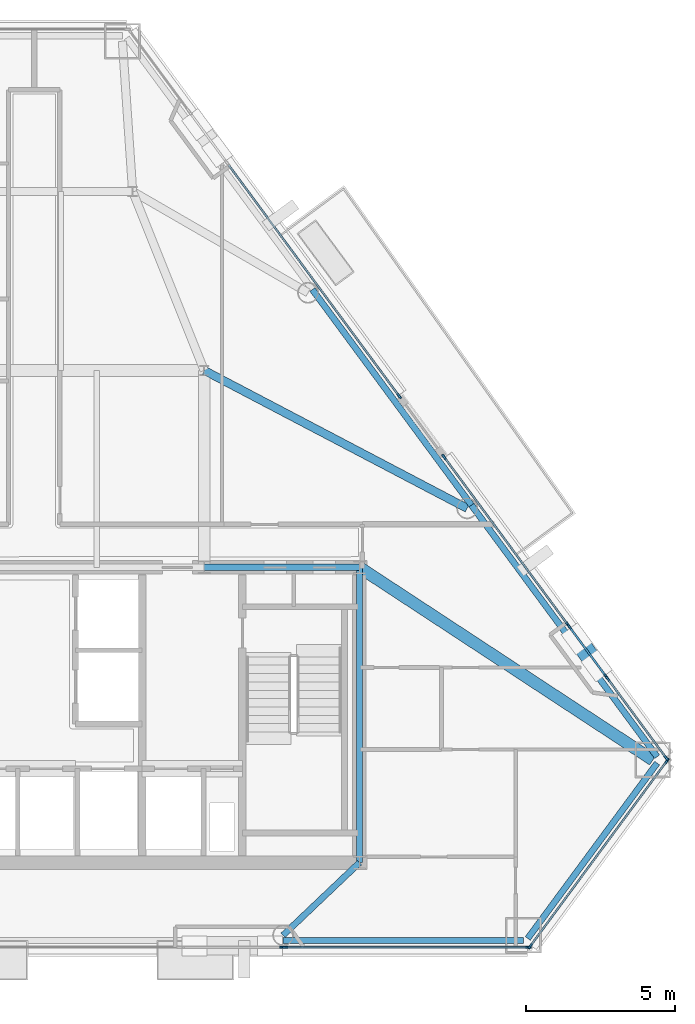
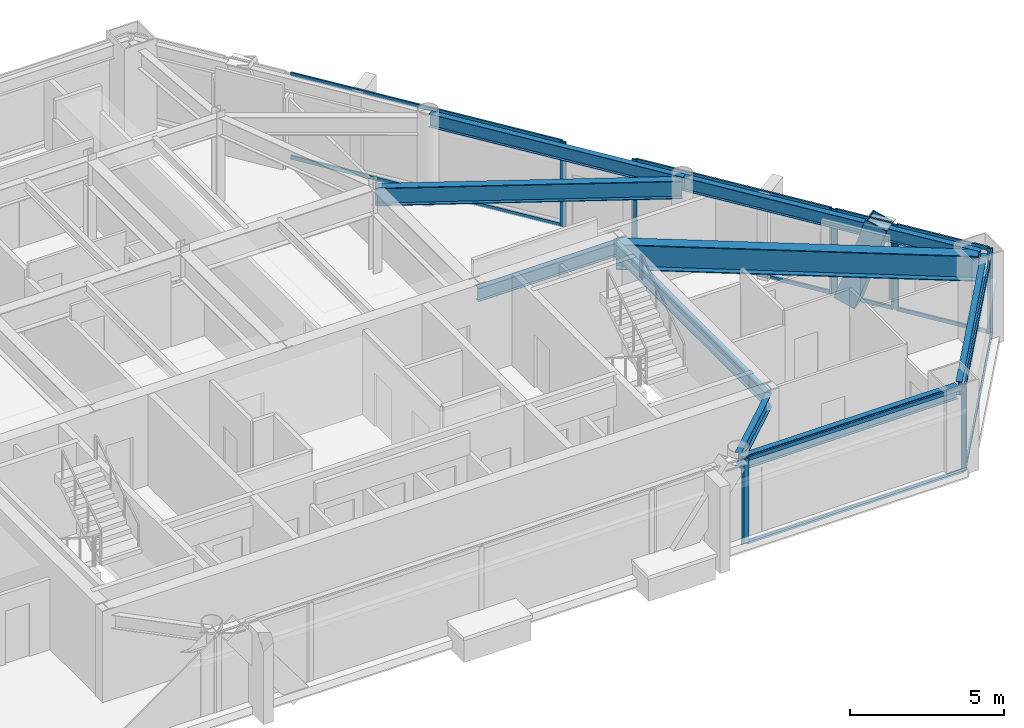
# One storey, part 5 of 11: 25 members, 9 beams, 7 elements without a shape of their own.
"""IFC4 building model written with IfcOpenShell, lengths in metres."""

from ifc_helpers import new_model, si_unit, direction, frame, origin, origin_2d, place, context, subcontext, project, spatial, rectangle, hollow_rectangle, i_section, extrude, material, layer, layer_set, material_profile, profile_set, type_object, element, aggregate, save


model = new_model("IFC4")

# Units and contexts
model_context = context("Model", 3, precision=1e-05, world=origin(), true_north=direction((0.0, 1.0)))
body_context = subcontext(model_context, "Body", "Model", "MODEL_VIEW")
ifc_project = project(units=[si_unit("LENGTHUNIT", "METRE"), si_unit("AREAUNIT", "SQUARE_METRE"), si_unit("VOLUMEUNIT", "CUBIC_METRE"), si_unit("PLANEANGLEUNIT", "RADIAN"), si_unit("MASSUNIT", "GRAM", prefix="KILO")], contexts=[model_context])

# Site, building, storey
site_placement = place(None, origin())
site = spatial("IfcSite", under=ifc_project, at=site_placement, CompositionType="ELEMENT")
building_placement = place(site_placement, origin())
building = spatial("IfcBuilding", under=site, at=building_placement, Name="Talgorran Terracotta Tower", CompositionType="ELEMENT")
storey_placement = place(building_placement, frame((0.0, 0.0, 158.10009765625)))
storey = spatial("IfcBuildingStorey", under=building, at=storey_placement, Name="L41", CompositionType="ELEMENT", Elevation=158.10009765625)

# Beams
ifc_material_1 = material(Name="Steel Grade 350 (350L0)", Category="steel")
ifc_material_profile_1 = material_profile(ifc_material_1, i_section(OverallWidth=0.39990234375, OverallDepth=1.0, WebThickness=0.01611328125, FlangeThickness=0.031005859375, at=origin_2d()), Name="1000WB296")
ifc_profile_set_1 = profile_set([ifc_material_profile_1], Name="Steel Grade 350 (350L0)")
beam_type_1 = type_object("IfcBeamType", Name="BM_1000WB296", PredefinedType="BEAM", material=ifc_profile_set_1)
beam_1_placement = place(storey_placement, frame((12.39990234375, -4.199951171875, 2.849853515625), z_axis=(0.836013696093, -0.548708574696, 0.0), x_axis=(0.548708574696, 0.836013696093, 0.0)))
element("IfcBeam", 1, at=beam_1_placement, inside=storey, type_object=beam_type_1, Name="L41 Floor Girder G18", PredefinedType="BEAM", context=body_context, shape_type="SweptSolid", body=[
    extrude(i_section(OverallWidth=0.39990234375, OverallDepth=1.0, WebThickness=0.01611328125, FlangeThickness=0.031005859375, at=origin_2d()), origin(), (0.0, 0.0, 1.0), 11.76318359375),
])
ifc_material_2 = material(Name="Steel S355 (300PLUS)", Category="steel")
ifc_material_profile_2 = material_profile(ifc_material_2, i_section(OverallWidth=0.27490234375, OverallDepth=0.7080078125, WebThickness=0.011962890625, FlangeThickness=0.02490234375, at=origin_2d()), Name="700WB173")
ifc_profile_set_2 = profile_set([ifc_material_profile_2], Name="Steel S355 (300PLUS)")
beam_type_2 = type_object("IfcBeamType", Name="BM_700WB173", PredefinedType="BEAM", material=ifc_profile_set_2)
beam_2_placement = place(storey_placement, frame((7.199951171875, 2.39990234375, 2.995849609375), z_axis=(0.885527866822, -0.464586264414, 0.0), x_axis=(0.464586264414, 0.885527866822, 0.0)))
element("IfcBeam", 2, at=beam_2_placement, inside=storey, type_object=beam_type_2, Name="L41 Floor Girder G07", PredefinedType="BEAM", context=body_context, shape_type="SweptSolid", body=[
    extrude(i_section(OverallWidth=0.27490234375, OverallDepth=0.7080078125, WebThickness=0.011962890625, FlangeThickness=0.02490234375, at=origin_2d()), origin(), (0.0, 0.0, 1.0), 9.951416015625),
])
ifc_material_profile_3 = material_profile(ifc_material_2, i_section(OverallWidth=0.209228515625, OverallDepth=0.532958984375, WebThickness=0.01025390625, FlangeThickness=0.015625, at=origin_2d()), Name="530UB92.4")
ifc_profile_set_3 = profile_set([ifc_material_profile_3], Name="Steel S355 (300PLUS)")
beam_type_3 = type_object("IfcBeamType", Name="BM_SP_530UB92", PredefinedType="SPANDREL", material=ifc_profile_set_3)
beam_3_placement = place(storey_placement, frame((9.843994140625, -16.7099609375, 3.08349609375), z_axis=(1.0, 0.0, 0.0), x_axis=(0.0, 1.0, 0.0)))
element("IfcBeam", 3, at=beam_3_placement, inside=storey, type_object=beam_type_3, Name="L41 Perimeter Spandrel Beam FC2-MC3", PredefinedType="SPANDREL", context=body_context, shape_type="SweptSolid", body=[
    extrude(i_section(OverallWidth=0.209228515625, OverallDepth=0.532958984375, WebThickness=0.01025390625, FlangeThickness=0.015625, at=origin_2d()), origin(), (0.0, 0.0, 1.0), 8.05419921875),
])
beam_4_placement = place(storey_placement, frame((18.043212890625, -16.636962890625, 3.08349609375), z_axis=(0.593765719161, 0.804637974961, 0.0), x_axis=(-0.804637974961, 0.593765719161, 0.0)))
element("IfcBeam", 4, at=beam_4_placement, inside=storey, type_object=beam_type_3, Name="L41 Perimeter Spandrel Beam MC3-MC4", PredefinedType="SPANDREL", context=body_context, shape_type="SweptSolid", body=[
    extrude(i_section(OverallWidth=0.209228515625, OverallDepth=0.532958984375, WebThickness=0.01025390625, FlangeThickness=0.015625, at=origin_2d()), origin(), (0.0, 0.0, 1.0), 7.302001953125),
])
beam_5_placement = place(storey_placement, frame((22.37890625, -10.547607421875, 3.08349609375), z_axis=(-0.593786218479, 0.804622847516, 0.0), x_axis=(-0.804622847516, -0.593786218479, 0.0)))
element("IfcBeam", 5, at=beam_5_placement, inside=storey, type_object=beam_type_3, Name="L41 Perimeter Spandrel Beam MC4-FC3", PredefinedType="SPANDREL", context=body_context, shape_type="SweptSolid", body=[
    extrude(i_section(OverallWidth=0.209228515625, OverallDepth=0.532958984375, WebThickness=0.01025390625, FlangeThickness=0.015625, at=origin_2d()), origin(), (0.0, 0.0, 1.0), 10.478271484375),
])
beam_6_placement = place(storey_placement, frame((16.156982421875, -2.116455078125, 3.08349609375), z_axis=(-0.593775624387, 0.804630665513, 0.0), x_axis=(-0.804630665513, -0.593775624387, 0.0)))
element("IfcBeam", 6, at=beam_6_placement, inside=storey, type_object=beam_type_3, Name="L41 Perimeter Spandrel Beam FC3-FC4", PredefinedType="SPANDREL", context=body_context, shape_type="SweptSolid", body=[
    extrude(i_section(OverallWidth=0.209228515625, OverallDepth=0.532958984375, WebThickness=0.01025390625, FlangeThickness=0.015625, at=origin_2d()), origin(), (0.0, 0.0, 1.0), 8.9814453125),
])
beam_7_placement = place(storey_placement, frame((12.39990234375, -14.10009765625, 3.08349609375), z_axis=(-0.724741849636, -0.689020501426, 0.0), x_axis=(0.689020501426, -0.724741849636, 0.0)))
element("IfcBeam", 7, at=beam_7_placement, inside=storey, type_object=beam_type_3, Name="L41 South-East Core Tie Beam", PredefinedType="SPANDREL", context=body_context, shape_type="SweptSolid", body=[
    extrude(i_section(OverallWidth=0.209228515625, OverallDepth=0.532958984375, WebThickness=0.01025390625, FlangeThickness=0.015625, at=origin_2d()), origin(), (0.0, 0.0, 1.0), 3.526611328125),
])
beam_8_placement = place(storey_placement, frame((12.39990234375, -14.10009765625, 3.08349609375), z_axis=(0.0, 1.0, 0.0), x_axis=(-1.0, 0.0, 0.0)))
element("IfcBeam", 8, at=beam_8_placement, inside=storey, type_object=beam_type_3, Name="L41 Core Frame Beam CFE", PredefinedType="SPANDREL", context=body_context, shape_type="SweptSolid", body=[
    extrude(i_section(OverallWidth=0.209228515625, OverallDepth=0.532958984375, WebThickness=0.01025390625, FlangeThickness=0.015625, at=origin_2d()), origin(), (0.0, 0.0, 1.0), 9.900146484375),
])
beam_9_placement = place(storey_placement, frame((7.199951171875, -4.199951171875, 3.08349609375), z_axis=(1.0, 0.0, 0.0), x_axis=(0.0, 1.0, 0.0)))
element("IfcBeam", 9, at=beam_9_placement, inside=storey, type_object=beam_type_3, Name="L41 Core Frame Beam CFN4", PredefinedType="SPANDREL", context=body_context, shape_type="SweptSolid", body=[
    extrude(i_section(OverallWidth=0.209228515625, OverallDepth=0.532958984375, WebThickness=0.01025390625, FlangeThickness=0.015625, at=origin_2d()), origin(), (0.0, 0.0, 1.0), 5.199951171875),
])

# Member
ifc_material_profile_4 = material_profile(ifc_material_1, hollow_rectangle(XDim=0.6201171875, YDim=0.780029296875, WallThickness=0.0419921875, at=origin_2d()), Name="WBOX780X620X42")
ifc_profile_set_4 = profile_set([ifc_material_profile_4], Name="Steel Grade 350 (350L0)")
member_type_1 = type_object("IfcMemberType", Name="MB_MEGA_780", PredefinedType="BRACE", material=ifc_profile_set_4)
member_1_placement = place(storey_placement, frame((19.686279296875, -6.595947265625, -0.025146484375), z_axis=(0.186449157717, -0.252643721572, 0.949425016279), x_axis=(0.804613596001, 0.593798754739, 0.0)))
element("IfcMember", 10, at=member_1_placement, inside=storey, type_object=member_type_1, Name="L41 Exterior Face Mega-Brace MB-2 (NEL)", PredefinedType="BRACE", context=body_context, shape_type="SweptSolid", body=[
    extrude(hollow_rectangle(XDim=0.6201171875, YDim=0.780029296875, WallThickness=0.0419921875, at=origin_2d()), origin(), (0.0, 0.0, 1.0), 3.581298828125),
])

# Curtain wall, member
ifc_material_3 = material(Name="Unitised Low-E Double Glazing", Category="glass")
ifc_layer = layer(ifc_material_3, 0.199951171875, Name="CW_SYS2_RES_LOW")
ifc_layer_set = layer_set([ifc_layer], Name="Unitised Low-E Double Glazing")
curtain_wall_type = type_object("IfcCurtainWallType", Name="CW_SYS2_RES_LOW", PredefinedType="NOTDEFINED", material=ifc_layer_set)
curtain_wall_1_placement = place(storey_placement, origin())
curtain_wall_1 = element("IfcCurtainWall", 11, at=curtain_wall_1_placement, inside=storey, type_object=curtain_wall_type, Name="CW-L41-F1D", PredefinedType="NOTDEFINED")
ifc_material_4 = material(Name="Architectural Aluminium 6063-T6", Category="aluminium")
ifc_material_profile_5 = material_profile(ifc_material_4, rectangle(XDim=0.06494140625, YDim=0.18505859375, at=origin_2d()), Name="CWM65X185")
ifc_profile_set_5 = profile_set([ifc_material_profile_5], Name="Architectural Aluminium 6063-T6")
member_type_2 = type_object("IfcMemberType", Name="MUL_65X185", PredefinedType="MULLION", material=ifc_profile_set_5)
member_2_placement = place(storey_placement, frame((9.826904296875, -16.929931640625, 0.0), z_axis=(0.0, 0.0, 1.0), x_axis=(0.0, 1.0, 0.0)))
member_2 = element("IfcMember", 12, at=member_2_placement, type_object=member_type_2, Name="CW-L41-1D mullion 2", PredefinedType="MULLION", context=body_context, shape_type="SweptSolid", body=[
    extrude(rectangle(XDim=0.06494140625, YDim=0.18505859375, at=origin_2d()), origin(), (0.0, 0.0, 1.0), 3.349853515625),
])
aggregate(curtain_wall_1, [member_2])

# Curtain wall, members
curtain_wall_2_placement = place(storey_placement, origin())
curtain_wall_2 = element("IfcCurtainWall", 13, at=curtain_wall_2_placement, inside=storey, type_object=curtain_wall_type, Name="CW-L41-F1E", PredefinedType="NOTDEFINED")
member_3_placement = place(storey_placement, frame((9.90185546875, -16.929931640625, 0.0), z_axis=(0.0, 0.0, 1.0), x_axis=(0.0, 1.0, 0.0)))
member_3 = element("IfcMember", 14, at=member_3_placement, type_object=member_type_2, Name="CW-L41-1E mullion 1", PredefinedType="MULLION", context=body_context, shape_type="SweptSolid", body=[
    extrude(rectangle(XDim=0.06494140625, YDim=0.18505859375, at=origin_2d()), origin(), (0.0, 0.0, 1.0), 3.349853515625),
])
member_4_placement = place(storey_placement, frame((18.067626953125, -16.929931640625, 0.0), z_axis=(0.0, 0.0, 1.0), x_axis=(0.0, 1.0, 0.0)))
member_4 = element("IfcMember", 15, at=member_4_placement, type_object=member_type_2, Name="CW-L41-1E mullion 2", PredefinedType="MULLION", context=body_context, shape_type="SweptSolid", body=[
    extrude(rectangle(XDim=0.06494140625, YDim=0.18505859375, at=origin_2d()), origin(), (0.0, 0.0, 1.0), 3.349853515625),
])

curtain_wall_3_placement = place(storey_placement, origin())
curtain_wall_3 = element("IfcCurtainWall", 16, at=curtain_wall_3_placement, inside=storey, type_object=curtain_wall_type, Name="CW-L41-F2", PredefinedType="NOTDEFINED")
member_5_placement = place(storey_placement, frame((18.119384765625, -16.90380859375, 0.0), z_axis=(0.0, 0.0, 1.0), x_axis=(-0.804619586401, 0.593790637498, 0.0)))
member_5 = element("IfcMember", 17, at=member_5_placement, type_object=member_type_2, Name="CW-L41-2 mullion 1", PredefinedType="MULLION", context=body_context, shape_type="SweptSolid", body=[
    extrude(rectangle(XDim=0.06494140625, YDim=0.18505859375, at=origin_2d()), origin(), (0.0, 0.0, 1.0), 3.349853515625),
])
member_6_placement = place(storey_placement, frame((22.7119140625, -10.6806640625, 0.0), z_axis=(0.0, 0.0, 1.0), x_axis=(-0.804619586401, 0.593790637498, 0.0)))
member_6 = element("IfcMember", 18, at=member_6_placement, type_object=member_type_2, Name="CW-L41-2 mullion 2", PredefinedType="MULLION", context=body_context, shape_type="SweptSolid", body=[
    extrude(rectangle(XDim=0.06494140625, YDim=0.18505859375, at=origin_2d()), origin(), (0.0, 0.0, 1.0), 3.349853515625),
])

curtain_wall_4_placement = place(storey_placement, origin())
curtain_wall_4 = element("IfcCurtainWall", 19, at=curtain_wall_4_placement, inside=storey, type_object=curtain_wall_type, Name="CW-L41-F40", PredefinedType="NOTDEFINED")
member_7_placement = place(storey_placement, frame((22.688232421875, -10.59619140625, 0.0), z_axis=(0.0, 0.0, 1.0), x_axis=(-0.804614418902, -0.593797639684, 0.0)))
member_7 = element("IfcMember", 20, at=member_7_placement, type_object=member_type_2, Name="CW-L41-40 mullion 1", PredefinedType="MULLION", context=body_context, shape_type="SweptSolid", body=[
    extrude(rectangle(XDim=0.06494140625, YDim=0.18505859375, at=origin_2d()), origin(), (0.0, 0.0, 1.0), 3.349853515625),
])
member_8_placement = place(storey_placement, frame((20.71728515625, -7.92578125, 0.0), z_axis=(0.0, 0.0, 1.0), x_axis=(-0.804614418902, -0.593797639684, 0.0)))
member_8 = element("IfcMember", 21, at=member_8_placement, type_object=member_type_2, Name="CW-L41-40 mullion 2", PredefinedType="MULLION", context=body_context, shape_type="SweptSolid", body=[
    extrude(rectangle(XDim=0.06494140625, YDim=0.18505859375, at=origin_2d()), origin(), (0.0, 0.0, 1.0), 3.349853515625),
])

curtain_wall_5_placement = place(storey_placement, origin())
curtain_wall_5 = element("IfcCurtainWall", 22, at=curtain_wall_5_placement, inside=storey, type_object=curtain_wall_type, Name="CW-L41-F40B", PredefinedType="NOTDEFINED")
member_9_placement = place(storey_placement, frame((20.6728515625, -7.865234375, 0.0), z_axis=(0.0, 0.0, 1.0), x_axis=(-0.804614726694, -0.593797222616, 0.0)))
member_9 = element("IfcMember", 23, at=member_9_placement, type_object=member_type_2, Name="CW-L41-40B mullion 1", PredefinedType="MULLION", context=body_context, shape_type="SweptSolid", body=[
    extrude(rectangle(XDim=0.06494140625, YDim=0.18505859375, at=origin_2d()), origin(), (0.0, 0.0, 1.0), 3.349853515625),
])
member_10_placement = place(storey_placement, frame((19.431884765625, -6.183837890625, 0.0), z_axis=(0.0, 0.0, 1.0), x_axis=(-0.804614726694, -0.593797222616, 0.0)))
member_10 = element("IfcMember", 24, at=member_10_placement, type_object=member_type_2, Name="CW-L41-40B mullion 2", PredefinedType="MULLION", context=body_context, shape_type="SweptSolid", body=[
    extrude(rectangle(XDim=0.06494140625, YDim=0.18505859375, at=origin_2d()), origin(), (0.0, 0.0, 1.0), 3.349853515625),
])

curtain_wall_6_placement = place(storey_placement, origin())
curtain_wall_6 = element("IfcCurtainWall", 25, at=curtain_wall_6_placement, inside=storey, type_object=curtain_wall_type, Name="CW-L41-F40C", PredefinedType="NOTDEFINED")
member_11_placement = place(storey_placement, frame((19.387451171875, -6.12353515625, 0.0), z_axis=(0.0, 0.0, 1.0), x_axis=(-0.804621289054, -0.5937883303, 0.0)))
member_11 = element("IfcMember", 26, at=member_11_placement, type_object=member_type_2, Name="CW-L41-40C mullion 1", PredefinedType="MULLION", context=body_context, shape_type="SweptSolid", body=[
    extrude(rectangle(XDim=0.06494140625, YDim=0.18505859375, at=origin_2d()), origin(), (0.0, 0.0, 1.0), 3.349853515625),
])
member_12_placement = place(storey_placement, frame((15.23388671875, -0.4951171875, 0.0), z_axis=(0.0, 0.0, 1.0), x_axis=(-0.804621289054, -0.5937883303, 0.0)))
member_12 = element("IfcMember", 27, at=member_12_placement, type_object=member_type_2, Name="CW-L41-40C mullion 2", PredefinedType="MULLION", context=body_context, shape_type="SweptSolid", body=[
    extrude(rectangle(XDim=0.06494140625, YDim=0.18505859375, at=origin_2d()), origin(), (0.0, 0.0, 1.0), 3.349853515625),
])

# Curtain wall, member
curtain_wall_7_placement = place(storey_placement, origin())
curtain_wall_7 = element("IfcCurtainWall", 28, at=curtain_wall_7_placement, inside=storey, type_object=curtain_wall_type, Name="CW-L41-F41", PredefinedType="NOTDEFINED")
member_13_placement = place(storey_placement, frame((13.734619140625, 1.53662109375, 0.0), z_axis=(0.0, 0.0, 1.0), x_axis=(-0.804622027975, -0.593787329013, 0.0)))
member_13 = element("IfcMember", 29, at=member_13_placement, type_object=member_type_2, Name="CW-L41-41 mullion 1", PredefinedType="MULLION", context=body_context, shape_type="SweptSolid", body=[
    extrude(rectangle(XDim=0.06494140625, YDim=0.18505859375, at=origin_2d()), origin(), (0.0, 0.0, 1.0), 3.349853515625),
])

# Member
ifc_material_profile_6 = material_profile(ifc_material_4, rectangle(XDim=0.06494140625, YDim=0.14990234375, at=origin_2d()), Name="CWT65X150")
ifc_profile_set_6 = profile_set([ifc_material_profile_6], Name="Architectural Aluminium 6063-T6")
member_type_3 = type_object("IfcMemberType", Name="TRN_65X150", PredefinedType="USERDEFINED", material=ifc_profile_set_6)
member_14_placement = place(storey_placement, frame((9.934326171875, -16.929931640625, 0.032470703125), z_axis=(1.0, 0.0, 0.0), x_axis=(0.0, 1.0, 0.0)))
member_14 = element("IfcMember", 30, at=member_14_placement, type_object=member_type_3, Name="CW-L41-1E transom 1.1", ObjectType="TRANSOM", PredefinedType="USERDEFINED", context=body_context, shape_type="SweptSolid", body=[
    extrude(rectangle(XDim=0.06494140625, YDim=0.14990234375, at=origin_2d()), origin(), (0.0, 0.0, 1.0), 8.100830078125),
])

member_15_placement = place(storey_placement, frame((9.934326171875, -16.929931640625, 3.3173828125), z_axis=(1.0, 0.0, 0.0), x_axis=(0.0, 1.0, 0.0)))
member_15 = element("IfcMember", 31, at=member_15_placement, type_object=member_type_3, Name="CW-L41-1E transom 1.2", ObjectType="TRANSOM", PredefinedType="USERDEFINED", context=body_context, shape_type="SweptSolid", body=[
    extrude(rectangle(XDim=0.06494140625, YDim=0.14990234375, at=origin_2d()), origin(), (0.0, 0.0, 1.0), 8.100830078125),
])

aggregate(curtain_wall_2, [member_3, member_4, member_14, member_15])

member_16_placement = place(storey_placement, frame((18.138916015625, -16.877685546875, 0.032470703125), z_axis=(0.593767901325, 0.804636364674, 0.0), x_axis=(-0.804636364674, 0.593767901325, 0.0)))
member_16 = element("IfcMember", 32, at=member_16_placement, type_object=member_type_3, Name="CW-L41-2 transom 1.1", ObjectType="TRANSOM", PredefinedType="USERDEFINED", context=body_context, shape_type="SweptSolid", body=[
    extrude(rectangle(XDim=0.06494140625, YDim=0.14990234375, at=origin_2d()), origin(), (0.0, 0.0, 1.0), 7.669189453125),
])

member_17_placement = place(storey_placement, frame((18.138916015625, -16.877685546875, 3.3173828125), z_axis=(0.593767901325, 0.804636364674, 0.0), x_axis=(-0.804636364674, 0.593767901325, 0.0)))
member_17 = element("IfcMember", 33, at=member_17_placement, type_object=member_type_3, Name="CW-L41-2 transom 1.2", ObjectType="TRANSOM", PredefinedType="USERDEFINED", context=body_context, shape_type="SweptSolid", body=[
    extrude(rectangle(XDim=0.06494140625, YDim=0.14990234375, at=origin_2d()), origin(), (0.0, 0.0, 1.0), 7.669189453125),
])

aggregate(curtain_wall_3, [member_5, member_6, member_16, member_17])

member_18_placement = place(storey_placement, frame((22.6689453125, -10.570068359375, 0.032470703125), z_axis=(-0.593787535062, 0.804621875917, 0.0), x_axis=(-0.804621875917, -0.593787535062, 0.0)))
member_18 = element("IfcMember", 34, at=member_18_placement, type_object=member_type_3, Name="CW-L41-40 transom 1.1", ObjectType="TRANSOM", PredefinedType="USERDEFINED", context=body_context, shape_type="SweptSolid", body=[
    extrude(rectangle(XDim=0.06494140625, YDim=0.14990234375, at=origin_2d()), origin(), (0.0, 0.0, 1.0), 3.25390625),
])

member_19_placement = place(storey_placement, frame((22.6689453125, -10.570068359375, 3.3173828125), z_axis=(-0.593787535062, 0.804621875917, 0.0), x_axis=(-0.804621875917, -0.593787535062, 0.0)))
member_19 = element("IfcMember", 35, at=member_19_placement, type_object=member_type_3, Name="CW-L41-40 transom 1.2", ObjectType="TRANSOM", PredefinedType="USERDEFINED", context=body_context, shape_type="SweptSolid", body=[
    extrude(rectangle(XDim=0.06494140625, YDim=0.14990234375, at=origin_2d()), origin(), (0.0, 0.0, 1.0), 3.25390625),
])

aggregate(curtain_wall_4, [member_7, member_8, member_18, member_19])

member_20_placement = place(storey_placement, frame((20.653564453125, -7.839111328125, 0.032470703125), z_axis=(-0.593828137474, 0.804591910937, 0.0), x_axis=(-0.804591910937, -0.593828137474, 0.0)))
member_20 = element("IfcMember", 36, at=member_20_placement, type_object=member_type_3, Name="CW-L41-40B transom 1.1", ObjectType="TRANSOM", PredefinedType="USERDEFINED", context=body_context, shape_type="SweptSolid", body=[
    extrude(rectangle(XDim=0.06494140625, YDim=0.14990234375, at=origin_2d()), origin(), (0.0, 0.0, 1.0), 2.02490234375),
])

member_21_placement = place(storey_placement, frame((20.653564453125, -7.839111328125, 3.3173828125), z_axis=(-0.593828137474, 0.804591910937, 0.0), x_axis=(-0.804591910937, -0.593828137474, 0.0)))
member_21 = element("IfcMember", 37, at=member_21_placement, type_object=member_type_3, Name="CW-L41-40B transom 1.2", ObjectType="TRANSOM", PredefinedType="USERDEFINED", context=body_context, shape_type="SweptSolid", body=[
    extrude(rectangle(XDim=0.06494140625, YDim=0.14990234375, at=origin_2d()), origin(), (0.0, 0.0, 1.0), 2.02490234375),
])

aggregate(curtain_wall_5, [member_9, member_10, member_20, member_21])

member_22_placement = place(storey_placement, frame((19.3681640625, -6.097412109375, 0.032470703125), z_axis=(-0.593781707638, 0.804626176354, 0.0), x_axis=(-0.804626176354, -0.593781707638, 0.0)))
member_22 = element("IfcMember", 38, at=member_22_placement, type_object=member_type_3, Name="CW-L41-40C transom 1.1", ObjectType="TRANSOM", PredefinedType="USERDEFINED", context=body_context, shape_type="SweptSolid", body=[
    extrude(rectangle(XDim=0.06494140625, YDim=0.14990234375, at=origin_2d()), origin(), (0.0, 0.0, 1.0), 6.93017578125),
])

member_23_placement = place(storey_placement, frame((19.3681640625, -6.097412109375, 3.3173828125), z_axis=(-0.593781707638, 0.804626176354, 0.0), x_axis=(-0.804626176354, -0.593781707638, 0.0)))
member_23 = element("IfcMember", 39, at=member_23_placement, type_object=member_type_3, Name="CW-L41-40C transom 1.2", ObjectType="TRANSOM", PredefinedType="USERDEFINED", context=body_context, shape_type="SweptSolid", body=[
    extrude(rectangle(XDim=0.06494140625, YDim=0.14990234375, at=origin_2d()), origin(), (0.0, 0.0, 1.0), 6.93017578125),
])

aggregate(curtain_wall_6, [member_11, member_12, member_22, member_23])

member_24_placement = place(storey_placement, frame((13.715087890625, 1.562744140625, 0.032470703125), z_axis=(-0.593770739752, 0.804634270097, 0.0), x_axis=(-0.804634270097, -0.593770739752, 0.0)))
member_24 = element("IfcMember", 40, at=member_24_placement, type_object=member_type_3, Name="CW-L41-41 transom 1.1", ObjectType="TRANSOM", PredefinedType="USERDEFINED", context=body_context, shape_type="SweptSolid", body=[
    extrude(rectangle(XDim=0.06494140625, YDim=0.14990234375, at=origin_2d()), origin(), (0.0, 0.0, 1.0), 9.59716796875),
])

member_25_placement = place(storey_placement, frame((13.715087890625, 1.562744140625, 3.3173828125), z_axis=(-0.593770739752, 0.804634270097, 0.0), x_axis=(-0.804634270097, -0.593770739752, 0.0)))
member_25 = element("IfcMember", 41, at=member_25_placement, type_object=member_type_3, Name="CW-L41-41 transom 1.2", ObjectType="TRANSOM", PredefinedType="USERDEFINED", context=body_context, shape_type="SweptSolid", body=[
    extrude(rectangle(XDim=0.06494140625, YDim=0.14990234375, at=origin_2d()), origin(), (0.0, 0.0, 1.0), 9.59716796875),
])

aggregate(curtain_wall_7, [member_13, member_24, member_25])

save(model, "model.ifc")
